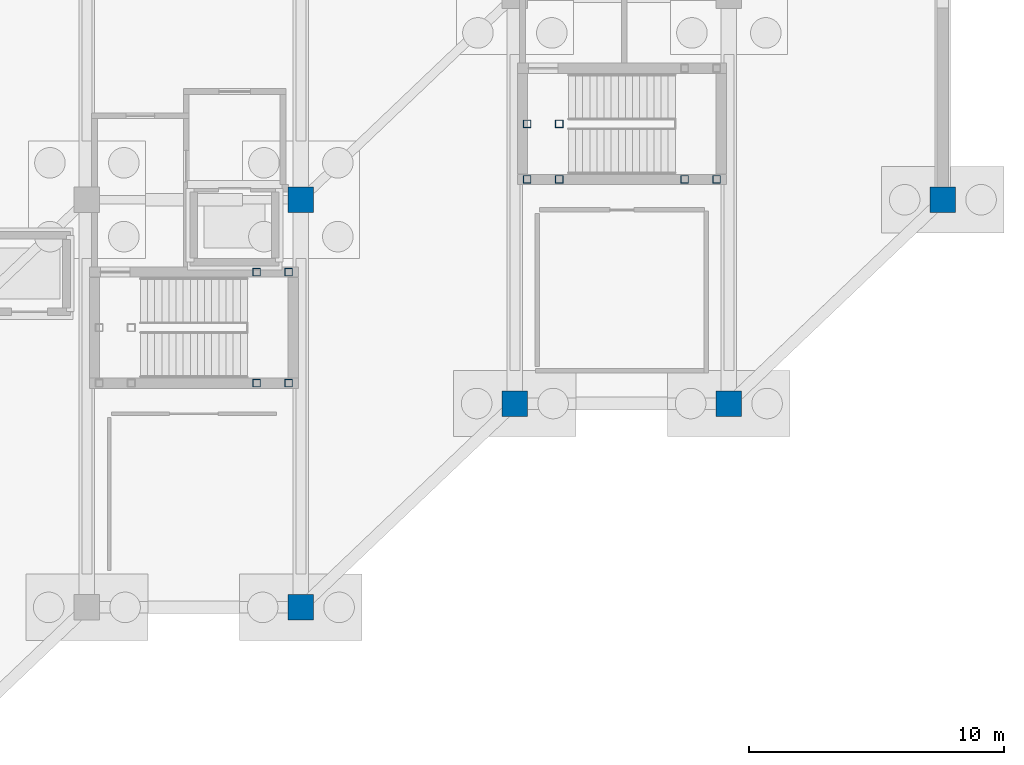
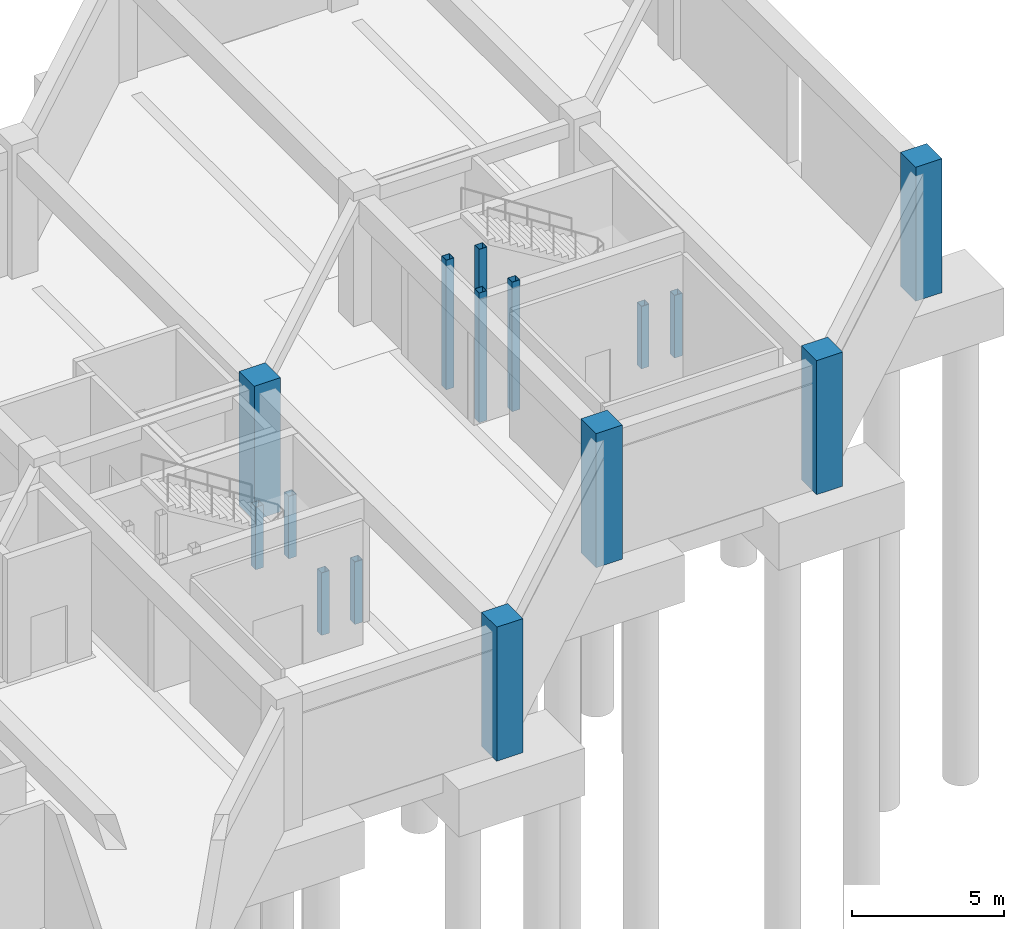
# One storey, part 26 of 56: 15 columns.
"""IFC4 building model written with IfcOpenShell, lengths in metres."""

from ifc_helpers import new_model, si_unit, direction, frame, origin, origin_2d, place, context, subcontext, project, spatial, rectangle, hollow_rectangle, extrude, material, material_profile, profile_set, type_object, element, save


model = new_model("IFC4")

# Units and contexts
model_context = context("Model", 3, precision=1e-05, world=origin(), true_north=direction((0.0, 1.0)))
body_context = subcontext(model_context, "Body", "Model", "MODEL_VIEW")
ifc_project = project(units=[si_unit("LENGTHUNIT", "METRE"), si_unit("AREAUNIT", "SQUARE_METRE"), si_unit("VOLUMEUNIT", "CUBIC_METRE"), si_unit("PLANEANGLEUNIT", "RADIAN"), si_unit("MASSUNIT", "GRAM", prefix="KILO")], contexts=[model_context])

# Site, building, storey
site_placement = place(None, origin())
site = spatial("IfcSite", under=ifc_project, at=site_placement, CompositionType="ELEMENT")
building_placement = place(site_placement, origin())
building = spatial("IfcBuilding", under=site, at=building_placement, Name="Naruveol Harbour Congress Hotel", CompositionType="ELEMENT")
storey_placement = place(building_placement, frame((0.0, 0.0, -5.39990234375)))
storey = spatial("IfcBuildingStorey", under=building, at=storey_placement, Name="B01", CompositionType="ELEMENT", Elevation=-5.39990234375)

# Columns
ifc_material_1 = material(Name="Concrete C50/60", Category="concrete")
ifc_material_profile_1 = material_profile(ifc_material_1, rectangle(XDim=1.0, YDim=1.0, at=origin_2d()), Name="RC-1000x1000")
ifc_profile_set_1 = profile_set([ifc_material_profile_1], Name="Concrete C50/60")
column_type_1 = type_object("IfcColumnType", Name="RC PRIMARY COLUMN 1000X1000", PredefinedType="COLUMN", material=ifc_profile_set_1)
for number, where, z_axis, x_axis, name in (
    (1, (159.60009765625, 8.0, 0.0), (0.0, 0.0, 1.0), (1.0, 0.0, 0.0), "Column C-1000 B01 (159.6,8.0)"),
    (2, (159.60009765625, 24.0, 0.0), (0.0, 0.0, 1.0), (1.0, 0.0, 0.0), "Column C-1000 B01 (159.6,24.0)"),
    (3, (168.0, 16.0, 0.0), (0.0, 0.0, 1.0), (1.0, 0.0, 0.0), "Column C-1000 B01 (168.0,16.0)"),
    (4, (176.39990234375, 16.0, 0.0), (0.0, 0.0, 1.0), (1.0, 0.0, 0.0), "Column C-1000 B01 (176.4,16.0)"),
    (5, (184.800048828125, 24.0, 0.0), (0.0, 0.0, 1.0), (1.0, 0.0, 0.0), "Column C-1000 B01 (184.8,24.0)"),
):
    element("IfcColumn", number, at=place(storey_placement, frame(where, z_axis=z_axis, x_axis=x_axis)), inside=storey, type_object=column_type_1, Name=name, PredefinedType="COLUMN", context=body_context, shape_type="SweptSolid", body=[
        extrude(rectangle(XDim=1.0, YDim=1.0, at=origin_2d()), origin(), (0.0, 0.0, 1.0), 5.39990234375),
    ])
ifc_material_2 = material(Name="Steel SN490", Category="steel")
ifc_material_profile_2 = material_profile(ifc_material_2, hollow_rectangle(XDim=0.300048828125, YDim=0.300048828125, WallThickness=0.011962890625, at=origin_2d()), Name="SHS-300x300x12")
ifc_profile_set_2 = profile_set([ifc_material_profile_2], Name="Steel SN490")
column_type_2 = type_object("IfcColumnType", Name="STEEL COLONNADE POST SHS300", PredefinedType="COLUMN", material=ifc_profile_set_2)
for number, where, z_axis, x_axis, name in (
    (6, (157.860107421875, 16.800048828125, 0.0), (0.0, 0.0, 1.0), (1.0, 0.0, 0.0), "Stair landing support post ST2E #145"),
    (7, (157.860107421875, 21.159912109375, 0.0), (0.0, 0.0, 1.0), (1.0, 0.0, 0.0), "Stair landing support post ST2E #157"),
    (8, (159.1201171875, 16.800048828125, 0.0), (0.0, 0.0, 1.0), (1.0, 0.0, 0.0), "Stair landing support post ST2E #169"),
    (9, (159.1201171875, 21.159912109375, 0.0), (0.0, 0.0, 1.0), (1.0, 0.0, 0.0), "Stair landing support post ST2E #181"),
):
    element("IfcColumn", number, at=place(storey_placement, frame(where, z_axis=z_axis, x_axis=x_axis)), inside=storey, type_object=column_type_2, Name=name, PredefinedType="COLUMN", context=body_context, shape_type="SweptSolid", body=[
        extrude(hollow_rectangle(XDim=0.300048828125, YDim=0.300048828125, WallThickness=0.011962890625, at=origin_2d()), origin(), (0.0, 0.0, 1.0), 2.52001953125),
    ])
for number, where, z_axis, x_axis, name in (
    (10, (168.47998046875, 24.800048828125, 0.0), (0.0, 0.0, 1.0), (1.0, 0.0, 0.0), "Stair landing support post ST4W #273"),
    (11, (168.47998046875, 26.97998046875, 0.0), (0.0, 0.0, 1.0), (1.0, 0.0, 0.0), "Stair landing support post ST4W #281"),
    (12, (169.739990234375, 24.800048828125, 0.0), (0.0, 0.0, 1.0), (1.0, 0.0, 0.0), "Stair landing support post ST4W #289"),
    (13, (169.739990234375, 26.97998046875, 0.0), (0.0, 0.0, 1.0), (1.0, 0.0, 0.0), "Stair landing support post ST4W #297"),
):
    element("IfcColumn", number, at=place(storey_placement, frame(where, z_axis=z_axis, x_axis=x_axis)), inside=storey, type_object=column_type_2, Name=name, PredefinedType="COLUMN", context=body_context, shape_type="SweptSolid", body=[
        extrude(hollow_rectangle(XDim=0.300048828125, YDim=0.300048828125, WallThickness=0.011962890625, at=origin_2d()), origin(), (0.0, 0.0, 1.0), 5.219970703125),
    ])
for number, where, z_axis, x_axis, name in (
    (14, (174.659912109375, 24.800048828125, 0.0), (0.0, 0.0, 1.0), (1.0, 0.0, 0.0), "Stair landing support post ST4E #305"),
    (15, (175.919921875, 24.800048828125, 0.0), (0.0, 0.0, 1.0), (1.0, 0.0, 0.0), "Stair landing support post ST4E #321"),
):
    element("IfcColumn", number, at=place(storey_placement, frame(where, z_axis=z_axis, x_axis=x_axis)), inside=storey, type_object=column_type_2, Name=name, PredefinedType="COLUMN", context=body_context, shape_type="SweptSolid", body=[
        extrude(hollow_rectangle(XDim=0.300048828125, YDim=0.300048828125, WallThickness=0.011962890625, at=origin_2d()), origin(), (0.0, 0.0, 1.0), 2.52001953125),
    ])

save(model, "model.ifc")
